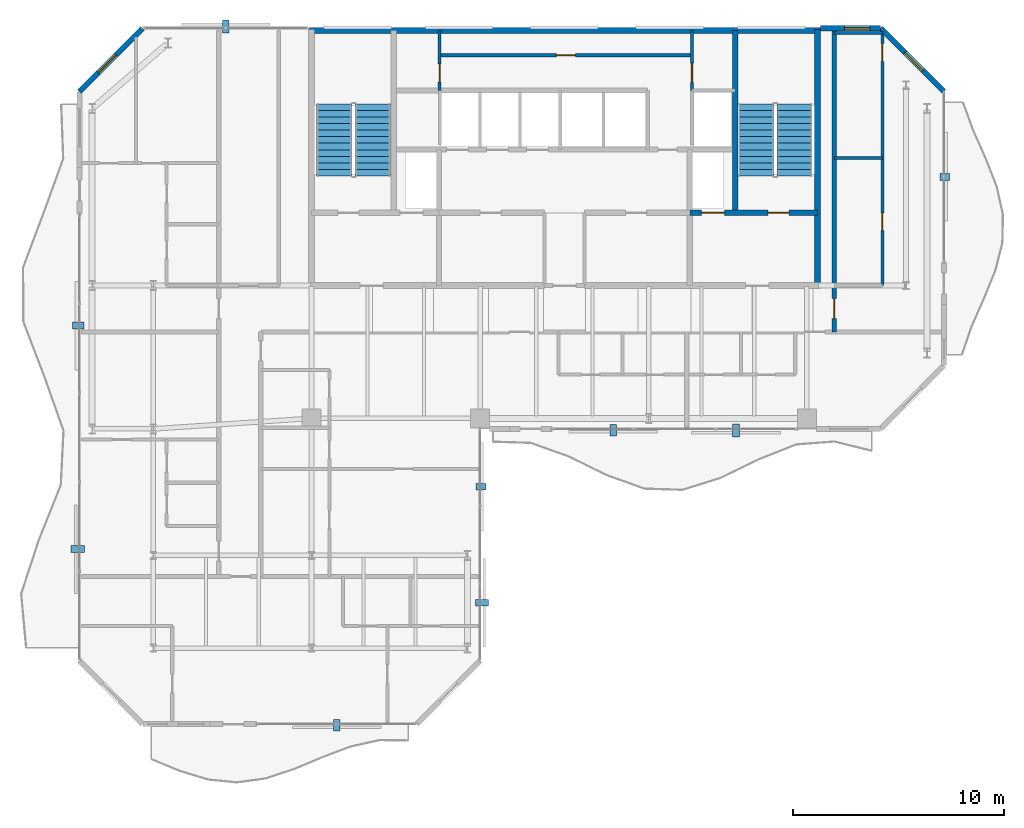
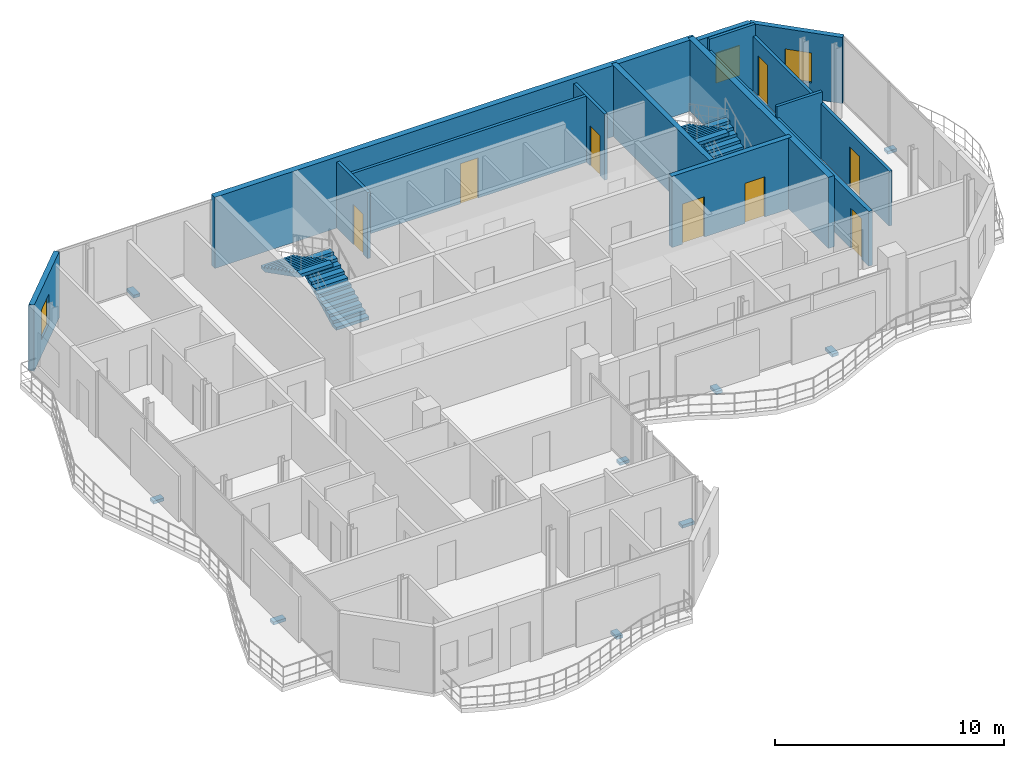
# One storey, part 20 of 22: 14 walls, 9 discrete accessories, 8 doors, 4 stair flights, 3 windows, 11 openings, 2 elements without a shape of their own.
"""IFC4 building model written with IfcOpenShell, lengths in metres."""

from ifc_helpers import new_model, si_unit, direction, frame, frame_2d, origin, origin_2d, place, context, subcontext, project, spatial, polyline, rectangle, outline, extrude, material, layer, layer_set, type_object, element, fill, aggregate, save


model = new_model("IFC4")

# Units and contexts
model_context = context("Model", 3, precision=1e-05, world=origin(), true_north=direction((0.0, 1.0)))
body_context = subcontext(model_context, "Body", "Model", "MODEL_VIEW")
ifc_project = project(units=[si_unit("LENGTHUNIT", "METRE"), si_unit("AREAUNIT", "SQUARE_METRE"), si_unit("VOLUMEUNIT", "CUBIC_METRE"), si_unit("PLANEANGLEUNIT", "RADIAN"), si_unit("MASSUNIT", "GRAM", prefix="KILO")], contexts=[model_context])

# Site, building, storey
site_placement = place(None, origin())
site = spatial("IfcSite", under=ifc_project, at=site_placement, CompositionType="ELEMENT")
building_placement = place(site_placement, origin())
building = spatial("IfcBuilding", under=site, at=building_placement, Name="Catumbela Crestline Tower", CompositionType="ELEMENT")
storey_placement = place(building_placement, frame((0.0, 0.0, 226.0)))
storey = spatial("IfcBuildingStorey", under=building, at=storey_placement, Name="L58", CompositionType="ELEMENT", Elevation=226.0)

# Wall
ifc_material_1 = material(Name="Concrete C50/60", Category="concrete")
ifc_layer_1 = layer(ifc_material_1, 0.25, Name="Concrete C50/60")
ifc_layer_set_1 = layer_set([ifc_layer_1], Name="Concrete C50/60")
wall_type_1 = type_object("IfcWallType", Name="CW-250D", PredefinedType="SHEAR", material=ifc_layer_set_1)
wall_1_placement = place(storey_placement, frame((36.1, 34.25, 0.0), z_axis=(0.0, 0.0, 1.0), x_axis=(0.0, 1.0, 0.0)))
element("IfcWall", 1, at=wall_1_placement, inside=storey, type_object=wall_type_1, Name="L58 Structural Core Shear Wall EWEB", PredefinedType="SHEAR", context=body_context, shape_type="SweptSolid", body=[
    extrude(rectangle(XDim=8.65, YDim=0.25, at=frame_2d((4.325, 0.0))), origin(), (0.0, 0.0, 1.0), 3.8),
])

# Wall, openings, doors
wall_2_placement = place(storey_placement, frame((33.95, 34.25, 0.0), z_axis=(0.0, 0.0, 1.0), x_axis=(1.0, 0.0, 0.0)))
wall_2 = element("IfcWall", 2, at=wall_2_placement, inside=storey, type_object=wall_type_1, Name="L58 Structural Core Shear Wall ST2S", PredefinedType="SHEAR", context=body_context, shape_type="SweptSolid", body=[
    extrude(rectangle(XDim=6.05, YDim=0.25, at=frame_2d((3.025, 0.0))), origin(), (0.0, 0.0, 1.0), 3.8),
])
opening_1_placement = place(wall_2_placement, frame((3.7, 0.0, 0.0)))
opening_1 = element("IfcOpeningElement", 3, at=opening_1_placement, cuts=wall_2, Name="Opening DF9-100", PredefinedType="OPENING", context=body_context, shape_type="SweptSolid", body=[
    extrude(rectangle(XDim=1.0, YDim=2.15, at=frame_2d((0.5, 1.075))), frame((0.0, 0.135, 0.0), z_axis=(0.0, -1.0, 0.0), x_axis=(1.0, 0.0, 0.0)), (0.0, 0.0, 1.0), 0.27),
])
opening_2_placement = place(wall_2_placement, frame((0.55, 0.0, 0.0)))
opening_2 = element("IfcOpeningElement", 4, at=opening_2_placement, cuts=wall_2, Name="Opening LD-110", PredefinedType="OPENING", context=body_context, shape_type="SweptSolid", body=[
    extrude(rectangle(XDim=1.1, YDim=2.15, at=frame_2d((0.55, 1.075))), frame((0.0, 0.135, 0.0), z_axis=(0.0, -1.0, 0.0), x_axis=(1.0, 0.0, 0.0)), (0.0, 0.0, 1.0), 0.27),
])
ifc_material_2 = material(Name="Stainless steel EN 1.4401", Category="steel")
door_type_1 = type_object("IfcDoorType", Name="DF9-100", OperationType="NOTDEFINED", PredefinedType="DOOR", material=ifc_material_2)
door_1_placement = place(opening_1_placement, origin())
door_1 = element("IfcDoor", 5, at=door_1_placement, inside=storey, type_object=door_type_1, Name="L58 Interior Door DR-L58-ST02", OperationType="SINGLE_SWING_RIGHT", OverallHeight=2.15, OverallWidth=1.0, PredefinedType="DOOR", context=body_context, shape_type="SweptSolid", body=[
    extrude(rectangle(XDim=1.0, YDim=2.15, at=frame_2d((0.5, 1.075))), frame((0.0, 0.025, 0.0), z_axis=(0.0, -1.0, 0.0), x_axis=(1.0, 0.0, 0.0)), (0.0, 0.0, 1.0), 0.05),
])
fill(opening_1, door_1)
door_type_2 = type_object("IfcDoorType", Name="LD-110", OperationType="NOTDEFINED", PredefinedType="DOOR", material=ifc_material_2)
door_2_placement = place(opening_2_placement, origin())
door_2 = element("IfcDoor", 6, at=door_2_placement, inside=storey, type_object=door_type_2, Name="L58 Lift Landing Sliding Door FL-02", OperationType="DOUBLE_DOOR_SLIDING", OverallHeight=2.15, OverallWidth=1.1, PredefinedType="DOOR", context=body_context, shape_type="SweptSolid", body=[
    extrude(rectangle(XDim=1.1, YDim=2.15, at=frame_2d((0.55, 1.075))), frame((0.0, 0.025, 0.0), z_axis=(0.0, -1.0, 0.0), x_axis=(1.0, 0.0, 0.0)), (0.0, 0.0, 1.0), 0.05),
])
fill(opening_2, door_2)

# Walls
ifc_material_3 = material(Name="Concrete C45/55", Category="concrete")
ifc_layer_2 = layer(ifc_material_3, 0.3, Name="Concrete C45/55")
ifc_layer_set_2 = layer_set([ifc_layer_2], Name="Concrete C45/55")
wall_type_2 = type_object("IfcWallType", Name="CW-300C", PredefinedType="SHEAR", material=ifc_layer_set_2)
wall_3_placement = place(storey_placement, frame((40.0, 30.65, 0.0), z_axis=(0.0, 0.0, 1.0), x_axis=(0.0, 1.0, 0.0)))
element("IfcWall", 7, at=wall_3_placement, inside=storey, type_object=wall_type_2, Name="L58 Structural Core Shear Wall E", PredefinedType="SHEAR", context=body_context, shape_type="SweptSolid", body=[
    extrude(rectangle(XDim=12.3, YDim=0.3, at=frame_2d((6.15, 0.0))), origin(), (0.0, 0.0, 1.0), 3.8),
])
ifc_layer_3 = layer(ifc_material_3, 0.3, Name="Concrete C45/55")
ifc_layer_set_3 = layer_set([ifc_layer_3], Name="Concrete C45/55")
wall_type_3 = type_object("IfcWallType", Name="CW-300E", PredefinedType="SHEAR", material=ifc_layer_set_3)
wall_4_placement = place(storey_placement, frame((15.85, 42.9, 0.0), z_axis=(0.0, 0.0, 1.0), x_axis=(1.0, 0.0, 0.0)))
element("IfcWall", 8, at=wall_4_placement, inside=storey, type_object=wall_type_3, Name="L58 Structural Core Shear Wall N", PredefinedType="SHEAR", context=body_context, shape_type="SweptSolid", body=[
    extrude(rectangle(XDim=24.3, YDim=0.3, at=frame_2d((12.15, 0.0))), origin(), (0.0, 0.0, 1.0), 3.8),
])

# Wall, opening, door
ifc_material_4 = material(Name="Acoustic gypsum and mineral-wool partition")
ifc_layer_4 = layer(ifc_material_4, 0.2, Name="Acoustic gypsum and mineral-wool partition")
ifc_layer_set_4 = layer_set([ifc_layer_4], Name="Acoustic gypsum and mineral-wool partition")
wall_type_4 = type_object("IfcWallType", Name="WC-200", PredefinedType="PARTITIONING", material=ifc_layer_set_4)
wall_5_placement = place(storey_placement, frame((40.8, 28.6, 0.0), z_axis=(0.0, 0.0, 1.0), x_axis=(0.0, 1.0, 0.0)))
wall_5 = element("IfcWall", 9, at=wall_5_placement, inside=storey, type_object=wall_type_4, Name="L58 Interior Partition PW-L58-NE1-ENT", PredefinedType="PARTITIONING", context=body_context, shape_type="SweptSolid", body=[
    extrude(rectangle(XDim=14.3, YDim=0.2, at=frame_2d((7.15, 0.0))), origin(), (0.0, 0.0, 1.0), 2.92),
])
opening_3_placement = place(wall_5_placement, frame((0.625, 0.0, 0.0)))
opening_3 = element("IfcOpeningElement", 10, at=opening_3_placement, cuts=wall_5, Name="Opening DF6-095", PredefinedType="OPENING", context=body_context, shape_type="SweptSolid", body=[
    extrude(rectangle(XDim=0.95, YDim=2.15, at=frame_2d((0.475, 1.075))), frame((0.0, 0.11, 0.0), z_axis=(0.0, -1.0, 0.0), x_axis=(1.0, 0.0, 0.0)), (0.0, 0.0, 1.0), 0.22),
])
ifc_material_5 = material(Name="Aluminium alloy AW-6060-T66", Category="aluminium")
door_type_3 = type_object("IfcDoorType", Name="DF6-095", OperationType="NOTDEFINED", PredefinedType="DOOR", material=ifc_material_5)
door_3_placement = place(opening_3_placement, origin())
door_3 = element("IfcDoor", 11, at=door_3_placement, inside=storey, type_object=door_type_3, Name="L58 Interior Door DR-L58-NE1-ENT", OperationType="SINGLE_SWING_LEFT", OverallHeight=2.15, OverallWidth=0.95, PredefinedType="DOOR", context=body_context, shape_type="SweptSolid", body=[
    extrude(rectangle(XDim=0.95, YDim=2.15, at=frame_2d((0.475, 1.075))), frame((0.0, 0.025, 0.0), z_axis=(0.0, -1.0, 0.0), x_axis=(1.0, 0.0, 0.0)), (0.0, 0.0, 1.0), 0.05),
])
fill(opening_3, door_3)

# Wall, opening, window
ifc_material_6 = material(Name="Angolan grey-ochre granite", Category="masonry")
ifc_layer_5 = layer(ifc_material_6, 0.25, Name="Angolan grey-ochre granite")
ifc_layer_set_5 = layer_set([ifc_layer_5], Name="Angolan grey-ochre granite")
wall_type_5 = type_object("IfcWallType", Name="WE-250", PredefinedType="STANDARD", material=ifc_layer_set_5)
wall_6_placement = place(storey_placement, frame((46.0, 40.0, 0.0), z_axis=(0.0, 0.0, 1.0), x_axis=(-0.707106781187, 0.707106781187, 0.0)))
wall_6 = element("IfcWall", 12, at=wall_6_placement, inside=storey, type_object=wall_type_5, Name="L58 Granite Punched Window Wall 6-1", PredefinedType="STANDARD", context=body_context, shape_type="SweptSolid", body=[
    extrude(rectangle(XDim=4.2426, YDim=0.25, at=frame_2d((2.1213, 0.0))), origin(), (0.0, 0.0, 1.0), 3.53),
])
opening_4_placement = place(wall_6_placement, frame((1.4111, 0.0, 0.85)))
opening_4 = element("IfcOpeningElement", 13, at=opening_4_placement, cuts=wall_6, Name="Opening WN-02", PredefinedType="OPENING", context=body_context, shape_type="SweptSolid", body=[
    extrude(rectangle(XDim=1.2, YDim=1.6, at=frame_2d((0.6, 0.8))), frame((0.0, 0.135, 0.0), z_axis=(0.0, -1.0, 0.0), x_axis=(1.0, 0.0, 0.0)), (0.0, 0.0, 1.0), 0.27),
])
ifc_material_7 = material(Name="Low-E laminated solar-control double glazing", Category="glass")
window_type = type_object("IfcWindowType", Name="WO-1200", PartitioningType="SINGLE_PANEL", PredefinedType="WINDOW", material=ifc_material_7)
window_1_placement = place(opening_4_placement, origin())
window_1 = element("IfcWindow", 14, at=window_1_placement, inside=storey, type_object=window_type, Name="L58 Facade Vision Window 410", OverallHeight=1.6, OverallWidth=1.2, PartitioningType="SINGLE_PANEL", PredefinedType="WINDOW", context=body_context, shape_type="SweptSolid", body=[
    extrude(rectangle(XDim=1.2, YDim=1.6, at=frame_2d((0.6, 0.8))), frame((0.0, 0.03, 0.0), z_axis=(0.0, -1.0, 0.0), x_axis=(1.0, 0.0, 0.0)), (0.0, 0.0, 1.0), 0.06),
])
fill(opening_4, window_1)

wall_7_placement = place(storey_placement, frame((43.0, 43.0, 0.0), z_axis=(0.0, 0.0, 1.0), x_axis=(-1.0, 0.0, 0.0)))
wall_7 = element("IfcWall", 15, at=wall_7_placement, inside=storey, type_object=wall_type_5, Name="L58 Granite Punched Window Wall 7-1", PredefinedType="STANDARD", context=body_context, shape_type="SweptSolid", body=[
    extrude(rectangle(XDim=2.86, YDim=0.25, at=frame_2d((1.43, 0.0))), origin(), (0.0, 0.0, 1.0), 3.53),
])
opening_5_placement = place(wall_7_placement, frame((0.51, 0.0, 0.85)))
opening_5 = element("IfcOpeningElement", 16, at=opening_5_placement, cuts=wall_7, Name="Opening WN-02", PredefinedType="OPENING", context=body_context, shape_type="SweptSolid", body=[
    extrude(rectangle(XDim=1.2, YDim=1.6, at=frame_2d((0.6, 0.8))), frame((0.0, 0.135, 0.0), z_axis=(0.0, -1.0, 0.0), x_axis=(1.0, 0.0, 0.0)), (0.0, 0.0, 1.0), 0.27),
])
window_2_placement = place(opening_5_placement, origin())
window_2 = element("IfcWindow", 17, at=window_2_placement, inside=storey, type_object=window_type, Name="L58 Facade Vision Window 411", OverallHeight=1.6, OverallWidth=1.2, PartitioningType="SINGLE_PANEL", PredefinedType="WINDOW", context=body_context, shape_type="SweptSolid", body=[
    extrude(rectangle(XDim=1.2, YDim=1.6, at=frame_2d((0.6, 0.8))), frame((0.0, 0.03, 0.0), z_axis=(0.0, -1.0, 0.0), x_axis=(1.0, 0.0, 0.0)), (0.0, 0.0, 1.0), 0.06),
])
fill(opening_5, window_2)

wall_8_placement = place(storey_placement, frame((8.0, 43.0, 0.0), z_axis=(0.0, 0.0, 1.0), x_axis=(-0.707106781187, -0.707106781187, 0.0)))
wall_8 = element("IfcWall", 18, at=wall_8_placement, inside=storey, type_object=wall_type_5, Name="L58 Granite Punched Window Wall 8-1", PredefinedType="STANDARD", context=body_context, shape_type="SweptSolid", body=[
    extrude(rectangle(XDim=4.2426, YDim=0.25, at=frame_2d((2.1213, 0.0))), origin(), (0.0, 0.0, 1.0), 3.53),
])
opening_6_placement = place(wall_8_placement, frame((1.7729, 0.0, 0.85)))
opening_6 = element("IfcOpeningElement", 19, at=opening_6_placement, cuts=wall_8, Name="Opening WN-02", PredefinedType="OPENING", context=body_context, shape_type="SweptSolid", body=[
    extrude(rectangle(XDim=1.2, YDim=1.6, at=frame_2d((0.6, 0.8))), frame((0.0, 0.135, 0.0), z_axis=(0.0, -1.0, 0.0), x_axis=(1.0, 0.0, 0.0)), (0.0, 0.0, 1.0), 0.27),
])
window_3_placement = place(opening_6_placement, origin())
window_3 = element("IfcWindow", 20, at=window_3_placement, inside=storey, type_object=window_type, Name="L58 Facade Vision Window 412", OverallHeight=1.6, OverallWidth=1.2, PartitioningType="SINGLE_PANEL", PredefinedType="WINDOW", context=body_context, shape_type="SweptSolid", body=[
    extrude(rectangle(XDim=1.2, YDim=1.6, at=frame_2d((0.6, 0.8))), frame((0.0, 0.03, 0.0), z_axis=(0.0, -1.0, 0.0), x_axis=(1.0, 0.0, 0.0)), (0.0, 0.0, 1.0), 0.06),
])
fill(opening_6, window_3)

# Wall, opening, door
ifc_layer_6 = layer(ifc_material_4, 0.15, Name="Acoustic gypsum and mineral-wool partition")
ifc_layer_set_6 = layer_set([ifc_layer_6], Name="Acoustic gypsum and mineral-wool partition")
wall_type_6 = type_object("IfcWallType", Name="WP-150", PredefinedType="PARTITIONING", material=ifc_layer_set_6)
wall_9_placement = place(storey_placement, frame((34.05, 40.05, 0.0), z_axis=(0.0, 0.0, 1.0), x_axis=(0.0, 1.0, 0.0)))
wall_9 = element("IfcWall", 21, at=wall_9_placement, inside=storey, type_object=wall_type_6, Name="L58 Interior Partition PW-L58-CR-EW", PredefinedType="PARTITIONING", context=body_context, shape_type="SweptSolid", body=[
    extrude(rectangle(XDim=2.85, YDim=0.15, at=frame_2d((1.425, 0.0))), origin(), (0.0, 0.0, 1.0), 3.53),
])
opening_7_placement = place(wall_9_placement, frame((0.385, 0.0, 0.0)))
opening_7 = element("IfcOpeningElement", 22, at=opening_7_placement, cuts=wall_9, Name="Opening DF9-090", PredefinedType="OPENING", context=body_context, shape_type="SweptSolid", body=[
    extrude(rectangle(XDim=0.9, YDim=2.15, at=frame_2d((0.45, 1.075))), frame((0.0, 0.085, 0.0), z_axis=(0.0, -1.0, 0.0), x_axis=(1.0, 0.0, 0.0)), (0.0, 0.0, 1.0), 0.17),
])
door_type_4 = type_object("IfcDoorType", Name="DF9-090", OperationType="NOTDEFINED", PredefinedType="DOOR", material=ifc_material_2)
door_4_placement = place(opening_7_placement, origin())
door_4 = element("IfcDoor", 23, at=door_4_placement, inside=storey, type_object=door_type_4, Name="L58 Interior Door DR-L58-CREAST", OperationType="SINGLE_SWING_RIGHT", OverallHeight=2.15, OverallWidth=0.9, PredefinedType="DOOR", context=body_context, shape_type="SweptSolid", body=[
    extrude(rectangle(XDim=0.9, YDim=2.15, at=frame_2d((0.45, 1.075))), frame((0.0, 0.025, 0.0), z_axis=(0.0, -1.0, 0.0), x_axis=(1.0, 0.0, 0.0)), (0.0, 0.0, 1.0), 0.05),
])
fill(opening_7, door_4)

wall_10_placement = place(storey_placement, frame((22.08, 40.05, 0.0), z_axis=(0.0, 0.0, 1.0), x_axis=(0.0, 1.0, 0.0)))
wall_10 = element("IfcWall", 24, at=wall_10_placement, inside=storey, type_object=wall_type_6, Name="L58 Interior Partition PW-L58-CR-WCW", PredefinedType="PARTITIONING", context=body_context, shape_type="SweptSolid", body=[
    extrude(rectangle(XDim=2.85, YDim=0.15, at=frame_2d((1.425, 0.0))), origin(), (0.0, 0.0, 1.0), 3.53),
])
opening_8_placement = place(wall_10_placement, frame((0.41, 0.0, 0.0)))
opening_8 = element("IfcOpeningElement", 25, at=opening_8_placement, cuts=wall_10, Name="Opening DI-085", PredefinedType="OPENING", context=body_context, shape_type="SweptSolid", body=[
    extrude(rectangle(XDim=0.85, YDim=2.15, at=frame_2d((0.425, 1.075))), frame((0.0, 0.085, 0.0), z_axis=(0.0, -1.0, 0.0), x_axis=(1.0, 0.0, 0.0)), (0.0, 0.0, 1.0), 0.17),
])
door_type_5 = type_object("IfcDoorType", Name="DI-085", OperationType="NOTDEFINED", PredefinedType="DOOR", material=ifc_material_5)
door_5_placement = place(opening_8_placement, origin())
door_5 = element("IfcDoor", 26, at=door_5_placement, inside=storey, type_object=door_type_5, Name="L58 Interior Door DR-L58-CRWC", OperationType="SINGLE_SWING_LEFT", OverallHeight=2.15, OverallWidth=0.85, PredefinedType="DOOR", context=body_context, shape_type="SweptSolid", body=[
    extrude(rectangle(XDim=0.85, YDim=2.15, at=frame_2d((0.425, 1.075))), frame((0.0, 0.025, 0.0), z_axis=(0.0, -1.0, 0.0), x_axis=(1.0, 0.0, 0.0)), (0.0, 0.0, 1.0), 0.05),
])
fill(opening_8, door_5)

wall_11_placement = place(storey_placement, frame((22.08, 41.72, 0.0), z_axis=(0.0, 0.0, 1.0), x_axis=(1.0, 0.0, 0.0)))
wall_11 = element("IfcWall", 27, at=wall_11_placement, inside=storey, type_object=wall_type_6, Name="L58 Interior Partition PW-L58-CR-MID", PredefinedType="PARTITIONING", context=body_context, shape_type="SweptSolid", body=[
    extrude(rectangle(XDim=11.97, YDim=0.15, at=frame_2d((5.985, 0.0))), origin(), (0.0, 0.0, 1.0), 3.53),
])
opening_9_placement = place(wall_11_placement, frame((5.535, 0.0, 0.0)))
opening_9 = element("IfcOpeningElement", 28, at=opening_9_placement, cuts=wall_11, Name="Opening DF9-090", PredefinedType="OPENING", context=body_context, shape_type="SweptSolid", body=[
    extrude(rectangle(XDim=0.9, YDim=2.15, at=frame_2d((0.45, 1.075))), frame((0.0, 0.085, 0.0), z_axis=(0.0, -1.0, 0.0), x_axis=(1.0, 0.0, 0.0)), (0.0, 0.0, 1.0), 0.17),
])
door_6_placement = place(opening_9_placement, origin())
door_6 = element("IfcDoor", 29, at=door_6_placement, inside=storey, type_object=door_type_4, Name="L58 Interior Door DR-L58-CRMID", OperationType="SINGLE_SWING_LEFT", OverallHeight=2.15, OverallWidth=0.9, PredefinedType="DOOR", context=body_context, shape_type="SweptSolid", body=[
    extrude(rectangle(XDim=0.9, YDim=2.15, at=frame_2d((0.45, 1.075))), frame((0.0, 0.025, 0.0), z_axis=(0.0, -1.0, 0.0), x_axis=(1.0, 0.0, 0.0)), (0.0, 0.0, 1.0), 0.05),
])
fill(opening_9, door_6)

# Wall
wall_12_placement = place(storey_placement, frame((40.8, 36.85, 0.0), z_axis=(0.0, 0.0, 1.0), x_axis=(1.0, 0.0, 0.0)))
element("IfcWall", 30, at=wall_12_placement, inside=storey, type_object=wall_type_6, Name="L58 Interior Partition PW-L58-NE1-KBM", PredefinedType="PARTITIONING", context=body_context, shape_type="SweptSolid", body=[
    extrude(rectangle(XDim=2.28, YDim=0.15, at=frame_2d((1.14, 0.0))), origin(), (0.0, 0.0, 1.0), 3.53),
])

# Wall, openings, doors
wall_13_placement = place(storey_placement, frame((43.08, 30.8, 0.0), z_axis=(0.0, 0.0, 1.0), x_axis=(0.0, 1.0, 0.0)))
wall_13 = element("IfcWall", 31, at=wall_13_placement, inside=storey, type_object=wall_type_6, Name="L58 Interior Partition PW-L58-NE1-SK1", PredefinedType="PARTITIONING", context=body_context, shape_type="SweptSolid", body=[
    extrude(rectangle(XDim=12.02, YDim=0.15, at=frame_2d((6.01, 0.0))), origin(), (0.0, 0.0, 1.0), 2.92),
])
opening_10_placement = place(wall_13_placement, frame((2.6, 0.0, 0.0)))
opening_10 = element("IfcOpeningElement", 32, at=opening_10_placement, cuts=wall_13, Name="Opening DI-085", PredefinedType="OPENING", context=body_context, shape_type="SweptSolid", body=[
    extrude(rectangle(XDim=0.85, YDim=2.15, at=frame_2d((0.425, 1.075))), frame((0.0, 0.085, 0.0), z_axis=(0.0, -1.0, 0.0), x_axis=(1.0, 0.0, 0.0)), (0.0, 0.0, 1.0), 0.17),
])
opening_11_placement = place(wall_13_placement, frame((10.6287, 0.0, 0.0)))
opening_11 = element("IfcOpeningElement", 33, at=opening_11_placement, cuts=wall_13, Name="Opening DI-085", PredefinedType="OPENING", context=body_context, shape_type="SweptSolid", body=[
    extrude(rectangle(XDim=0.85, YDim=2.15, at=frame_2d((0.425, 1.075))), frame((0.0, 0.085, 0.0), z_axis=(0.0, -1.0, 0.0), x_axis=(1.0, 0.0, 0.0)), (0.0, 0.0, 1.0), 0.17),
])
door_7_placement = place(opening_10_placement, origin())
door_7 = element("IfcDoor", 34, at=door_7_placement, inside=storey, type_object=door_type_5, Name="L58 Interior Door DR-L58-NE1-KIT", OperationType="SINGLE_SWING_LEFT", OverallHeight=2.15, OverallWidth=0.85, PredefinedType="DOOR", context=body_context, shape_type="SweptSolid", body=[
    extrude(rectangle(XDim=0.85, YDim=2.15, at=frame_2d((0.425, 1.075))), frame((0.0, 0.025, 0.0), z_axis=(0.0, -1.0, 0.0), x_axis=(1.0, 0.0, 0.0)), (0.0, 0.0, 1.0), 0.05),
])
fill(opening_10, door_7)
door_8_placement = place(opening_11_placement, origin())
door_8 = element("IfcDoor", 35, at=door_8_placement, inside=storey, type_object=door_type_5, Name="L58 Interior Door DR-L58-NE1-BTH", OperationType="SINGLE_SWING_RIGHT", OverallHeight=2.15, OverallWidth=0.85, PredefinedType="DOOR", context=body_context, shape_type="SweptSolid", body=[
    extrude(rectangle(XDim=0.85, YDim=2.15, at=frame_2d((0.425, 1.075))), frame((0.0, 0.025, 0.0), z_axis=(0.0, -1.0, 0.0), x_axis=(1.0, 0.0, 0.0)), (0.0, 0.0, 1.0), 0.05),
])
fill(opening_11, door_8)

# Wall
wall_14_placement = place(storey_placement, frame((40.8, 42.78, 0.0), z_axis=(0.0, 0.0, 1.0), x_axis=(1.0, 0.0, 0.0)))
element("IfcWall", 36, at=wall_14_placement, inside=storey, type_object=wall_type_6, Name="L58 Interior Partition PW-L58-NE1-BTH-BCL-2", PredefinedType="PARTITIONING", context=body_context, shape_type="SweptSolid", body=[
    extrude(rectangle(XDim=2.32, YDim=0.15, at=frame_2d((1.16, 0.0))), origin(), (0.0, 0.0, 1.0), 3.53),
])

# Stair, stair flights
stair_type = type_object("IfcStairType", Name="ST-DLG", PredefinedType="HALF_TURN_STAIR", material=ifc_material_3)
stair_1_placement = place(storey_placement, origin())
stair_1 = element("IfcStair", 37, at=stair_1_placement, inside=storey, type_object=stair_type, Name="L58 West Core Pressurised Exit Stair ST-01", PredefinedType="HALF_TURN_STAIR")
stair_flight_type = type_object("IfcStairFlightType", Name="SF-1583", PredefinedType="STRAIGHT", material=ifc_material_3)
stair_flight_1_placement = place(storey_placement, frame((18.92, 36.0, 0.0), z_axis=(0.0, 0.0, 1.0), x_axis=(0.0, 1.0, 0.0)))
stair_flight_1 = element("IfcStairFlight", 38, at=stair_flight_1_placement, type_object=stair_flight_type, Name="ST-01 flight 1", NumberOfRisers=12, NumberOfTreads=11, PredefinedType="STRAIGHT", RiserHeight=0.158333333, TreadLength=0.31, context=body_context, shape_type="SweptSolid", body=[
    extrude(outline(polyline([(0.0, 0.0), (0.0, 0.1583), (0.31, 0.1583), (0.31, 0.3167), (0.62, 0.3167), (0.62, 0.475), (0.93, 0.475), (0.93, 0.6333), (1.24, 0.6333), (1.24, 0.7917), (1.55, 0.7917), (1.55, 0.95), (1.86, 0.95), (1.86, 1.1083), (2.17, 1.1083), (2.17, 1.2667), (2.48, 1.2667), (2.48, 1.425), (2.79, 1.425), (2.79, 1.5833), (3.1, 1.5833), (3.1, 1.7417), (3.41, 1.7417), (3.41, 1.9), (3.41, 1.562), (0.3518, 0.0), (0.0, 0.0)])), frame((0.0, 0.83, 0.0), z_axis=(0.0, -1.0, 0.0), x_axis=(1.0, 0.0, 0.0)), (0.0, 0.0, 1.0), 1.66),
])
stair_flight_2_placement = place(storey_placement, frame((17.08, 39.41, 1.9), z_axis=(0.0, 0.0, 1.0), x_axis=(0.0, -1.0, 0.0)))
stair_flight_2 = element("IfcStairFlight", 39, at=stair_flight_2_placement, type_object=stair_flight_type, Name="ST-01 flight 2", NumberOfRisers=12, NumberOfTreads=11, PredefinedType="STRAIGHT", RiserHeight=0.158333333, TreadLength=0.31, context=body_context, shape_type="SweptSolid", body=[
    extrude(outline(polyline([(0.0, 0.0), (0.0, 0.1583), (0.31, 0.1583), (0.31, 0.3167), (0.62, 0.3167), (0.62, 0.475), (0.93, 0.475), (0.93, 0.6333), (1.24, 0.6333), (1.24, 0.7917), (1.55, 0.7917), (1.55, 0.95), (1.86, 0.95), (1.86, 1.1083), (2.17, 1.1083), (2.17, 1.2667), (2.48, 1.2667), (2.48, 1.425), (2.79, 1.425), (2.79, 1.5833), (3.1, 1.5833), (3.1, 1.7417), (3.41, 1.7417), (3.41, 1.9), (3.41, 1.562), (0.3518, 0.0), (0.0, 0.0)])), frame((0.0, 0.83, 0.0), z_axis=(0.0, -1.0, 0.0), x_axis=(1.0, 0.0, 0.0)), (0.0, 0.0, 1.0), 1.66),
])
aggregate(stair_1, [stair_flight_1, stair_flight_2])

stair_2_placement = place(storey_placement, origin())
stair_2 = element("IfcStair", 40, at=stair_2_placement, inside=storey, type_object=stair_type, Name="L58 East Core Pressurised Exit Stair ST-02", PredefinedType="HALF_TURN_STAIR")
stair_flight_3_placement = place(storey_placement, frame((38.92, 36.0, 0.0), z_axis=(0.0, 0.0, 1.0), x_axis=(0.0, 1.0, 0.0)))
stair_flight_3 = element("IfcStairFlight", 41, at=stair_flight_3_placement, type_object=stair_flight_type, Name="ST-02 flight 1", NumberOfRisers=12, NumberOfTreads=11, PredefinedType="STRAIGHT", RiserHeight=0.158333333, TreadLength=0.31, context=body_context, shape_type="SweptSolid", body=[
    extrude(outline(polyline([(0.0, 0.0), (0.0, 0.1583), (0.31, 0.1583), (0.31, 0.3167), (0.62, 0.3167), (0.62, 0.475), (0.93, 0.475), (0.93, 0.6333), (1.24, 0.6333), (1.24, 0.7917), (1.55, 0.7917), (1.55, 0.95), (1.86, 0.95), (1.86, 1.1083), (2.17, 1.1083), (2.17, 1.2667), (2.48, 1.2667), (2.48, 1.425), (2.79, 1.425), (2.79, 1.5833), (3.1, 1.5833), (3.1, 1.7417), (3.41, 1.7417), (3.41, 1.9), (3.41, 1.562), (0.3518, 0.0), (0.0, 0.0)])), frame((0.0, 0.83, 0.0), z_axis=(0.0, -1.0, 0.0), x_axis=(1.0, 0.0, 0.0)), (0.0, 0.0, 1.0), 1.66),
])
stair_flight_4_placement = place(storey_placement, frame((37.08, 39.41, 1.9), z_axis=(0.0, 0.0, 1.0), x_axis=(0.0, -1.0, 0.0)))
stair_flight_4 = element("IfcStairFlight", 42, at=stair_flight_4_placement, type_object=stair_flight_type, Name="ST-02 flight 2", NumberOfRisers=12, NumberOfTreads=11, PredefinedType="STRAIGHT", RiserHeight=0.158333333, TreadLength=0.31, context=body_context, shape_type="SweptSolid", body=[
    extrude(outline(polyline([(0.0, 0.0), (0.0, 0.1583), (0.31, 0.1583), (0.31, 0.3167), (0.62, 0.3167), (0.62, 0.475), (0.93, 0.475), (0.93, 0.6333), (1.24, 0.6333), (1.24, 0.7917), (1.55, 0.7917), (1.55, 0.95), (1.86, 0.95), (1.86, 1.1083), (2.17, 1.1083), (2.17, 1.2667), (2.48, 1.2667), (2.48, 1.425), (2.79, 1.425), (2.79, 1.5833), (3.1, 1.5833), (3.1, 1.7417), (3.41, 1.7417), (3.41, 1.9), (3.41, 1.562), (0.3518, 0.0), (0.0, 0.0)])), frame((0.0, 0.83, 0.0), z_axis=(0.0, -1.0, 0.0), x_axis=(1.0, 0.0, 0.0)), (0.0, 0.0, 1.0), 1.66),
])
aggregate(stair_2, [stair_flight_3, stair_flight_4])

# Discrete accessories
discrete_accessory_type = type_object("IfcDiscreteAccessoryType", Name="BK-SS1", PredefinedType="BRACKET", material=ifc_material_2)
discrete_accessory_1_placement = place(storey_placement, frame((17.2, 9.935, -0.18), z_axis=(0.0, 0.0, 1.0), x_axis=(1.0, 0.0, 0.0)))
element("IfcDiscreteAccessory", 43, at=discrete_accessory_1_placement, inside=storey, type_object=discrete_accessory_type, Name="L58 Solar Screen Stainless Bracket 689", PredefinedType="BRACKET", context=body_context, shape_type="SweptSolid", body=[
    extrude(rectangle(XDim=0.32, YDim=0.54, at=origin_2d()), origin(), (0.0, 0.0, 1.0), 0.16),
])
discrete_accessory_2_placement = place(storey_placement, frame((24.085, 15.75, -0.18), z_axis=(0.0, 0.0, 1.0), x_axis=(0.0, 1.0, 0.0)))
element("IfcDiscreteAccessory", 44, at=discrete_accessory_2_placement, inside=storey, type_object=discrete_accessory_type, Name="L58 Solar Screen Stainless Bracket 690", PredefinedType="BRACKET", context=body_context, shape_type="SweptSolid", body=[
    extrude(rectangle(XDim=0.32, YDim=0.62, at=origin_2d()), origin(), (0.0, 0.0, 1.0), 0.16),
])
discrete_accessory_3_placement = place(storey_placement, frame((24.045, 21.25, -0.18), z_axis=(0.0, 0.0, 1.0), x_axis=(0.0, 1.0, 0.0)))
element("IfcDiscreteAccessory", 45, at=discrete_accessory_3_placement, inside=storey, type_object=discrete_accessory_type, Name="L58 Solar Screen Stainless Bracket 691", PredefinedType="BRACKET", context=body_context, shape_type="SweptSolid", body=[
    extrude(rectangle(XDim=0.32, YDim=0.46, at=origin_2d()), origin(), (0.0, 0.0, 1.0), 0.16),
])
discrete_accessory_4_placement = place(storey_placement, frame((30.3125, 23.935, -0.18), z_axis=(0.0, 0.0, 1.0), x_axis=(1.0, 0.0, 0.0)))
element("IfcDiscreteAccessory", 46, at=discrete_accessory_4_placement, inside=storey, type_object=discrete_accessory_type, Name="L58 Solar Screen Stainless Bracket 692", PredefinedType="BRACKET", context=body_context, shape_type="SweptSolid", body=[
    extrude(rectangle(XDim=0.32, YDim=0.54, at=origin_2d()), origin(), (0.0, 0.0, 1.0), 0.16),
])
discrete_accessory_5_placement = place(storey_placement, frame((36.1375, 23.915, -0.18), z_axis=(0.0, 0.0, 1.0), x_axis=(1.0, 0.0, 0.0)))
element("IfcDiscreteAccessory", 47, at=discrete_accessory_5_placement, inside=storey, type_object=discrete_accessory_type, Name="L58 Solar Screen Stainless Bracket 693", PredefinedType="BRACKET", context=body_context, shape_type="SweptSolid", body=[
    extrude(rectangle(XDim=0.32, YDim=0.62, at=origin_2d()), origin(), (0.0, 0.0, 1.0), 0.16),
])
discrete_accessory_6_placement = place(storey_placement, frame((46.045, 35.95, -0.18), z_axis=(0.0, 0.0, 1.0), x_axis=(0.0, 1.0, 0.0)))
element("IfcDiscreteAccessory", 48, at=discrete_accessory_6_placement, inside=storey, type_object=discrete_accessory_type, Name="L58 Solar Screen Stainless Bracket 694", PredefinedType="BRACKET", context=body_context, shape_type="SweptSolid", body=[
    extrude(rectangle(XDim=0.32, YDim=0.46, at=origin_2d()), origin(), (0.0, 0.0, 1.0), 0.16),
])
discrete_accessory_7_placement = place(storey_placement, frame((11.93, 43.085, -0.18), z_axis=(0.0, 0.0, 1.0), x_axis=(-1.0, 0.0, 0.0)))
element("IfcDiscreteAccessory", 49, at=discrete_accessory_7_placement, inside=storey, type_object=discrete_accessory_type, Name="L58 Solar Screen Stainless Bracket 695", PredefinedType="BRACKET", context=body_context, shape_type="SweptSolid", body=[
    extrude(rectangle(XDim=0.32, YDim=0.62, at=origin_2d()), origin(), (0.0, 0.0, 1.0), 0.16),
])
discrete_accessory_8_placement = place(storey_placement, frame((4.935, 28.9, -0.18), z_axis=(0.0, 0.0, 1.0), x_axis=(0.0, -1.0, 0.0)))
element("IfcDiscreteAccessory", 50, at=discrete_accessory_8_placement, inside=storey, type_object=discrete_accessory_type, Name="L58 Solar Screen Stainless Bracket 696", PredefinedType="BRACKET", context=body_context, shape_type="SweptSolid", body=[
    extrude(rectangle(XDim=0.32, YDim=0.54, at=origin_2d()), origin(), (0.0, 0.0, 1.0), 0.16),
])
discrete_accessory_9_placement = place(storey_placement, frame((4.915, 18.3, -0.18), z_axis=(0.0, 0.0, 1.0), x_axis=(0.0, -1.0, 0.0)))
element("IfcDiscreteAccessory", 51, at=discrete_accessory_9_placement, inside=storey, type_object=discrete_accessory_type, Name="L58 Solar Screen Stainless Bracket 697", PredefinedType="BRACKET", context=body_context, shape_type="SweptSolid", body=[
    extrude(rectangle(XDim=0.32, YDim=0.62, at=origin_2d()), origin(), (0.0, 0.0, 1.0), 0.16),
])

save(model, "model.ifc")
